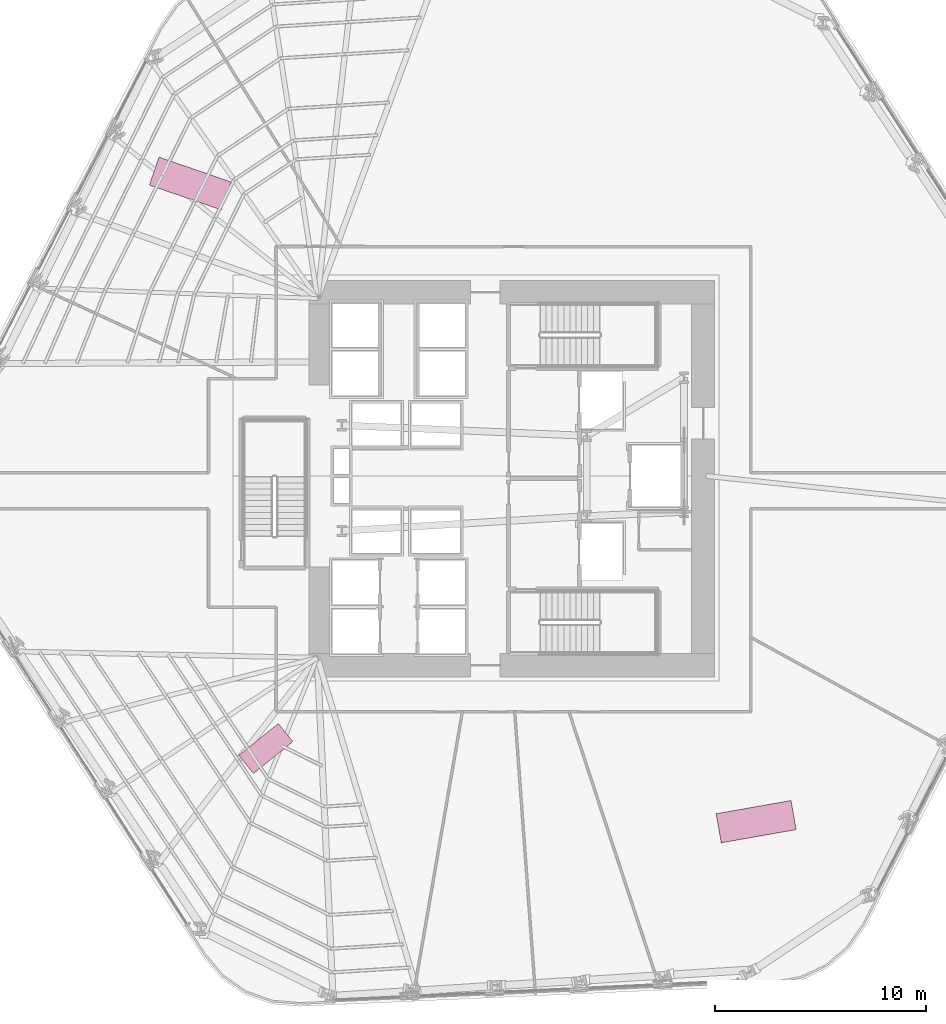
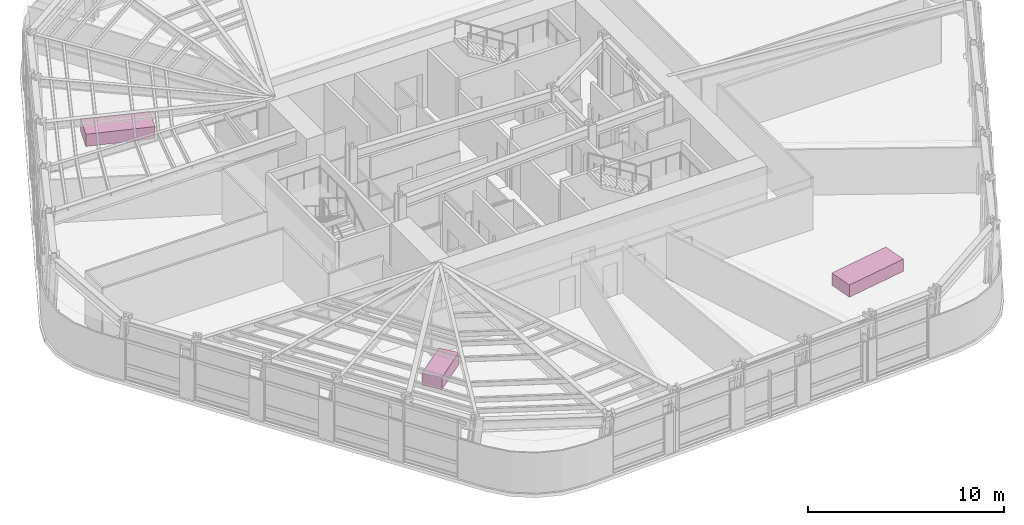
# One storey, part 15 of 15: 3 furniture elements.
"""IFC4 building model written with IfcOpenShell, lengths in metres."""

from ifc_helpers import new_model, si_unit, direction, frame, origin, origin_2d, place, context, subcontext, project, spatial, rectangle, extrude, material, type_object, element, save


model = new_model("IFC4")

# Units and contexts
model_context = context("Model", 3, precision=1e-05, world=origin(), true_north=direction((0.0, 1.0)))
body_context = subcontext(model_context, "Body", "Model", "MODEL_VIEW")
ifc_project = project(units=[si_unit("LENGTHUNIT", "METRE"), si_unit("AREAUNIT", "SQUARE_METRE"), si_unit("VOLUMEUNIT", "CUBIC_METRE"), si_unit("PLANEANGLEUNIT", "RADIAN"), si_unit("MASSUNIT", "GRAM", prefix="KILO")], contexts=[model_context])

# Site, building, storey
site_placement = place(None, origin())
site = spatial("IfcSite", under=ifc_project, at=site_placement, CompositionType="ELEMENT")
building_placement = place(site_placement, origin())
building = spatial("IfcBuilding", under=site, at=building_placement, Name="Valkerne Bourse Tower", CompositionType="ELEMENT")
storey_placement = place(building_placement, frame((0.0, 0.0, 35.39990234375)))
storey = spatial("IfcBuildingStorey", under=building, at=storey_placement, Name="L08", CompositionType="ELEMENT", Elevation=35.39990234375)

# Furniture
ifc_material = material(Name="Architectural White Oak Timber", Category="wood")
furniture_type_1 = type_object("IfcFurnitureType", Name="FURN-CONF-3600", AssemblyPlace="NOTDEFINED", PredefinedType="TABLE", material=ifc_material)
for number, where, z_axis, x_axis, name in (
    (1, (31.580078125, 40.840087890625, 0.044921875), (0.0, 0.0, 1.0), (-0.945518575599, 0.325568154457, 0.0), "L08 Suite Worktable 05"),
    (2, (58.363037109375, 10.64208984375, 0.044921875), (0.0, 0.0, 1.0), (0.984807753012, 0.173648177667, 0.0), "L08 Suite Worktable 06"),
):
    element("IfcFurniture", number, at=place(storey_placement, frame(where, z_axis=z_axis, x_axis=x_axis)), inside=storey, type_object=furniture_type_1, Name=name, PredefinedType="TABLE", context=body_context, shape_type="SweptSolid", body=[
        extrude(rectangle(XDim=3.60009765625, YDim=1.39990234375, at=origin_2d()), origin(), (0.0, 0.0, 1.0), 0.760009765625),
    ])
furniture_type_2 = type_object("IfcFurnitureType", Name="FURN-DESK-2400", AssemblyPlace="NOTDEFINED", PredefinedType="DESK", material=ifc_material)
furniture_placement = place(storey_placement, frame((35.1630859375, 14.10400390625, 0.045166015625), z_axis=(0.0, 0.0, 1.0), x_axis=(0.777145961457, 0.62932039105, 0.0)))
element("IfcFurniture", 3, at=furniture_placement, inside=storey, type_object=furniture_type_2, Name="L08 Suite Worktable 07", PredefinedType="DESK", context=body_context, shape_type="SweptSolid", body=[
    extrude(rectangle(XDim=2.39990234375, YDim=1.10009765625, at=origin_2d()), origin(), (0.0, 0.0, 1.0), 0.75),
])

save(model, "model.ifc")
